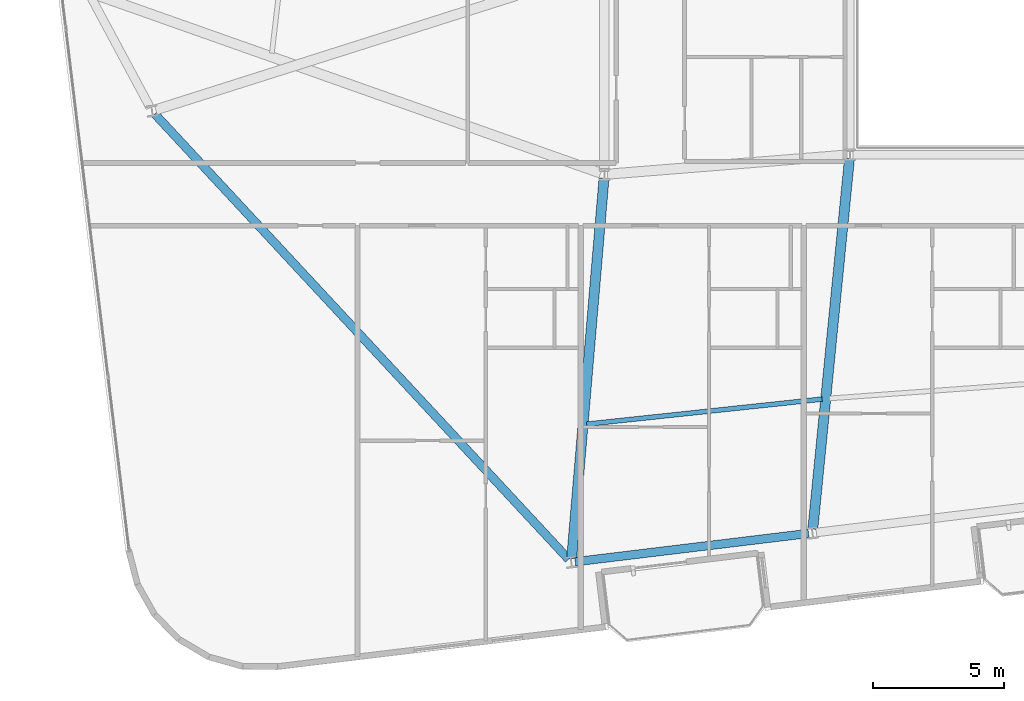
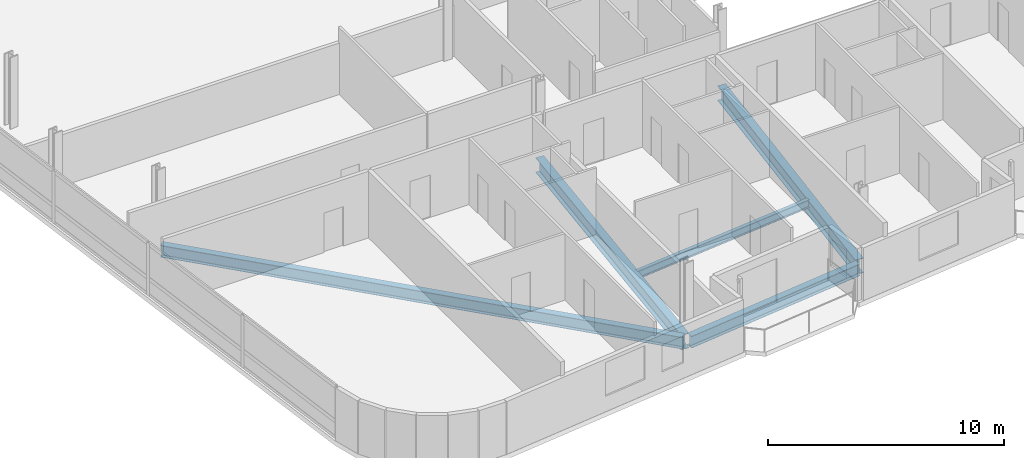
# One storey, part 3 of 23: 5 beams.
"""IFC4 building model written with IfcOpenShell, lengths in metres."""

from ifc_helpers import new_model, si_unit, direction, frame, origin, origin_2d, place, context, subcontext, project, spatial, i_section, extrude, material, material_profile, profile_set, type_object, element, save


model = new_model("IFC4")

# Units and contexts
model_context = context("Model", 3, precision=1e-05, world=origin(), true_north=direction((0.0, 1.0)))
body_context = subcontext(model_context, "Body", "Model", "MODEL_VIEW")
ifc_project = project(units=[si_unit("LENGTHUNIT", "METRE"), si_unit("AREAUNIT", "SQUARE_METRE"), si_unit("VOLUMEUNIT", "CUBIC_METRE"), si_unit("PLANEANGLEUNIT", "RADIAN"), si_unit("MASSUNIT", "GRAM", prefix="KILO")], contexts=[model_context])

# Site, building, storey
site_placement = place(None, origin())
site = spatial("IfcSite", under=ifc_project, at=site_placement, CompositionType="ELEMENT")
building_placement = place(site_placement, origin())
building = spatial("IfcBuilding", under=site, at=building_placement, Name="Varnelok Gate Tower", CompositionType="ELEMENT")
storey_placement = place(building_placement, frame((0.0, 0.0, 189.39990234375)))
storey = spatial("IfcBuildingStorey", under=building, at=storey_placement, Name="L48", CompositionType="ELEMENT", Elevation=189.39990234375)

# Beams
ifc_material = material(Name="Structural Steel ASTM A992 Grade 50", Category="steel")
ifc_material_profile_1 = material_profile(ifc_material, i_section(OverallWidth=0.180908203125, OverallDepth=0.4169921875, WebThickness=0.010986328125, FlangeThickness=0.018310546875, FilletRadius=0.013916015625, at=origin_2d()), Name="W16X57")
ifc_profile_set_1 = profile_set([ifc_material_profile_1], Name="Structural Steel ASTM A992 Grade 50")
beam_type_1 = type_object("IfcBeamType", Name="BM-JST-W16X57", PredefinedType="JOIST", material=ifc_profile_set_1)
beam_1_placement = place(storey_placement, frame((23.728271484375, 9.2900390625, -0.45849609375), z_axis=(0.994377086657, 0.105897164887, 0.0), x_axis=(-0.105897164887, 0.994377086657, 0.0)))
element("IfcBeam", 1, at=beam_1_placement, inside=storey, type_object=beam_type_1, Name="L48 Sector Floor Joist 1", PredefinedType="JOIST", context=body_context, shape_type="SweptSolid", body=[
    extrude(i_section(OverallWidth=0.180908203125, OverallDepth=0.4169921875, WebThickness=0.010986328125, FlangeThickness=0.018310546875, FilletRadius=0.013916015625, at=origin_2d()), origin(), (0.0, 0.0, 1.0), 9.014404296875),
])
ifc_material_profile_2 = material_profile(ifc_material, i_section(OverallWidth=0.381103515625, OverallDepth=0.77294921875, WebThickness=0.0166015625, FlangeThickness=0.027099609375, FilletRadius=0.02197265625, at=origin_2d()), Name="W30X173")
ifc_profile_set_2 = profile_set([ifc_material_profile_2], Name="Structural Steel ASTM A992 Grade 50")
beam_type_2 = type_object("IfcBeamType", Name="BM-PRI-W30X173", PredefinedType="BEAM", material=ifc_profile_set_2)
beam_2_placement = place(storey_placement, frame((24.38720703125, 18.650390625, -0.636474609375), z_axis=(-0.08482646823, -0.996395739798, 0.0), x_axis=(0.996395739798, -0.08482646823, 0.0)))
element("IfcBeam", 2, at=beam_2_placement, inside=storey, type_object=beam_type_2, Name="L48 Radial Floor Girder 1", PredefinedType="BEAM", context=body_context, shape_type="SweptSolid", body=[
    extrude(i_section(OverallWidth=0.381103515625, OverallDepth=0.77294921875, WebThickness=0.0166015625, FlangeThickness=0.027099609375, FilletRadius=0.02197265625, at=origin_2d()), origin(), (0.0, 0.0, 1.0), 14.52001953125),
])
beam_3_placement = place(storey_placement, frame((33.735107421875, 19.400634765625, -0.636474609375), z_axis=(-0.098420734253, -0.995144893505, 0.0), x_axis=(0.995144893505, -0.098420734253, 0.0)))
element("IfcBeam", 3, at=beam_3_placement, inside=storey, type_object=beam_type_2, Name="L48 Radial Floor Girder 2", PredefinedType="BEAM", context=body_context, shape_type="SweptSolid", body=[
    extrude(i_section(OverallWidth=0.381103515625, OverallDepth=0.77294921875, WebThickness=0.0166015625, FlangeThickness=0.027099609375, FilletRadius=0.02197265625, at=origin_2d()), origin(), (0.0, 0.0, 1.0), 14.174072265625),
])
ifc_material_profile_3 = material_profile(ifc_material, i_section(OverallWidth=0.323974609375, OverallDepth=0.611083984375, WebThickness=0.0126953125, FlangeThickness=0.01904296875, FilletRadius=0.01806640625, at=origin_2d()), Name="W24X104")
ifc_profile_set_3 = profile_set([ifc_material_profile_3], Name="Structural Steel ASTM A992 Grade 50")
beam_type_3 = type_object("IfcBeamType", Name="BM-SPN-W24X104", PredefinedType="SPANDREL", material=ifc_profile_set_3)
beam_4_placement = place(storey_placement, frame((23.29150390625, 4.051025390625, -0.555419921875), z_axis=(0.99273141198, 0.120350918849, 0.0), x_axis=(-0.120350918849, 0.99273141198, 0.0)))
element("IfcBeam", 4, at=beam_4_placement, inside=storey, type_object=beam_type_3, Name="L48 Perimeter Spandrel Beam 1", PredefinedType="SPANDREL", context=body_context, shape_type="SweptSolid", body=[
    extrude(i_section(OverallWidth=0.323974609375, OverallDepth=0.611083984375, WebThickness=0.0126953125, FlangeThickness=0.01904296875, FilletRadius=0.01806640625, at=origin_2d()), origin(), (0.0, 0.0, 1.0), 8.949951171875),
])
beam_5_placement = place(storey_placement, frame((7.27685546875, 21.106201171875, -0.555419921875), z_axis=(0.680728456616, -0.732535847828, 0.0), x_axis=(0.732535847828, 0.680728456616, 0.0)))
element("IfcBeam", 5, at=beam_5_placement, inside=storey, type_object=beam_type_3, Name="L48 Perimeter Spandrel Beam 16", PredefinedType="SPANDREL", context=body_context, shape_type="SweptSolid", body=[
    extrude(i_section(OverallWidth=0.323974609375, OverallDepth=0.611083984375, WebThickness=0.0126953125, FlangeThickness=0.01904296875, FilletRadius=0.01806640625, at=origin_2d()), origin(), (0.0, 0.0, 1.0), 23.156982421875),
])

save(model, "model.ifc")
